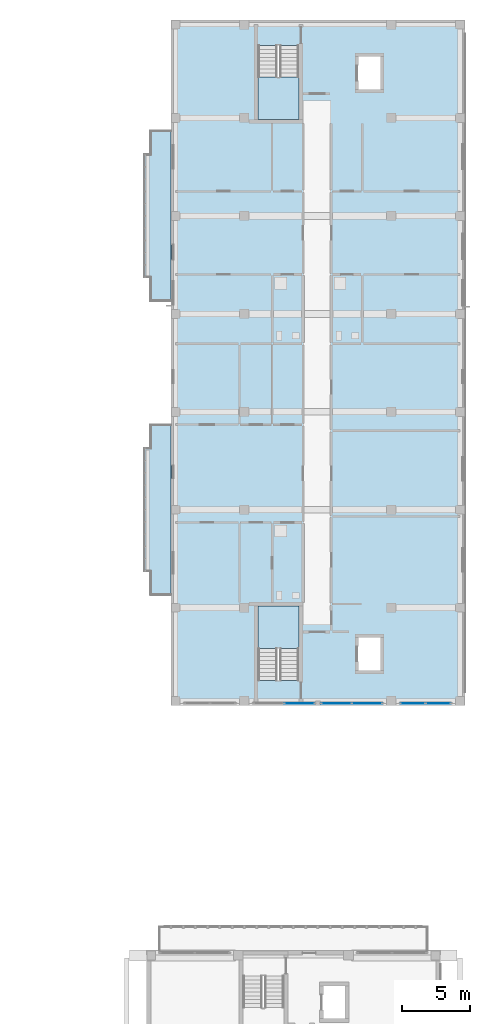
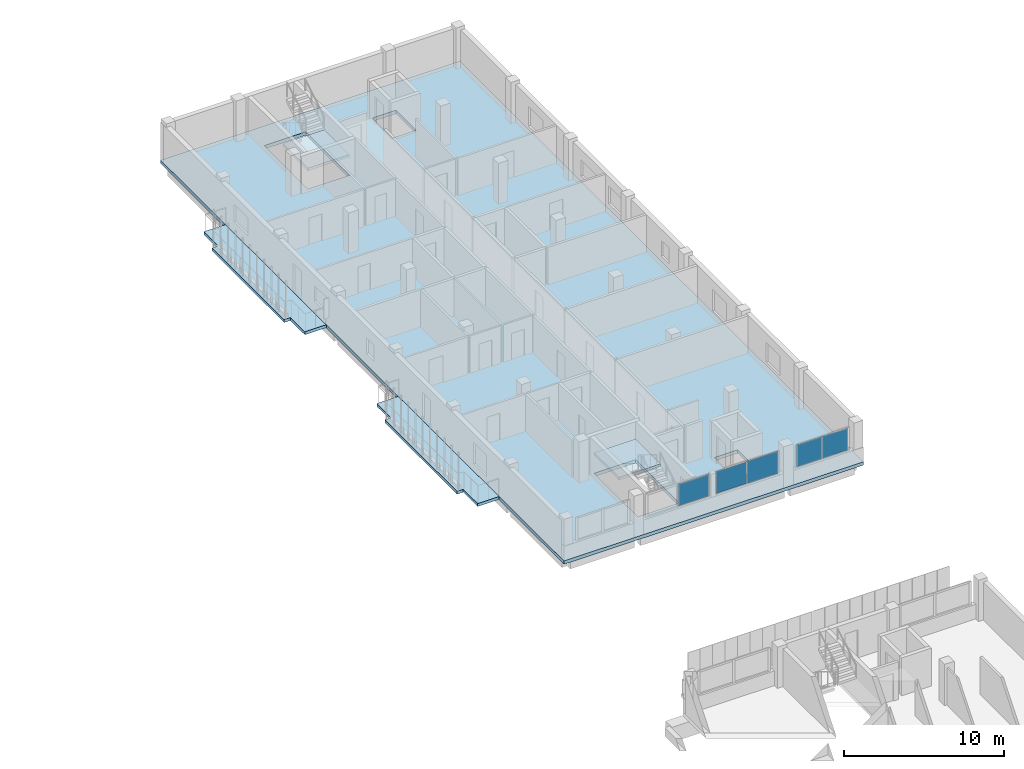
# One storey, part 23 of 51: 5 plates, 5 slabs, 5 elements without a shape of their own.
"""IFC4 building model written with IfcOpenShell, lengths in metres."""

from ifc_helpers import new_model, si_unit, derived_unit, direction, frame, origin, origin_2d, place, context, subcontext, project, spatial, polyline, rectangle, outline, extrude, material, layer, layer_set, type_object, element, aggregate, save


model = new_model("IFC4")

# Units and contexts
model_context = context("Model", 3, precision=1e-05, world=origin(), true_north=direction((0.0, 1.0)))
body_context = subcontext(model_context, "Body", "Model", "MODEL_VIEW")
ifc_project = project(units=[si_unit("LENGTHUNIT", "METRE"), si_unit("AREAUNIT", "SQUARE_METRE"), si_unit("VOLUMEUNIT", "CUBIC_METRE"), si_unit("PLANEANGLEUNIT", "RADIAN"), si_unit("MASSUNIT", "GRAM", prefix="KILO"), derived_unit("THERMALTRANSMITTANCEUNIT", [(si_unit("MASSUNIT", "GRAM", prefix="KILO"), 1), (si_unit("TIMEUNIT", "SECOND"), -3), (si_unit("THERMODYNAMICTEMPERATUREUNIT", "KELVIN"), -1)])], contexts=[model_context])

# Site, building, storey
site_placement = place(None, origin())
site = spatial("IfcSite", under=ifc_project, at=site_placement, CompositionType="ELEMENT")
building_placement = place(site_placement, origin())
building = spatial("IfcBuilding", under=site, at=building_placement, Name="Ochrekiln Boulevard Commons", CompositionType="ELEMENT")
storey_placement = place(building_placement, frame((0.0, 0.0, 18.375)))
storey = spatial("IfcBuildingStorey", under=building, at=storey_placement, Name="L05", CompositionType="ELEMENT", Elevation=18.375)

# Curtain wall, plate
ifc_material_1 = material(Name="Bronze-anodized extruded aluminium 6063-T6", Category="aluminium")
ifc_layer_1 = layer(ifc_material_1, 0.18408203125)
ifc_layer_set_1 = layer_set([ifc_layer_1], Name="Bronze-anodized extruded aluminium 6063-T6")
curtain_wall_type = type_object("IfcCurtainWallType", Name="CW-GABLE-B", PredefinedType="USERDEFINED", material=ifc_layer_set_1)
curtain_wall_1_placement = place(storey_placement, origin())
curtain_wall_1 = element("IfcCurtainWall", 1, at=curtain_wall_1_placement, inside=storey, type_object=curtain_wall_type, Name="Block B L05 Courtyard Glazed Gable Curtain Wall 2", ObjectType="GLAZED CURTAIN WALL", PredefinedType="USERDEFINED")
ifc_material_2 = material(Name="Spectrally selective low-E insulated glazing", Category="glass")
ifc_layer_2 = layer(ifc_material_2, 0.02392578125)
ifc_layer_set_2 = layer_set([ifc_layer_2], Name="Spectrally selective low-E insulated glazing")
plate_type_1 = type_object("IfcPlateType", Name="CWP-GLZ-1", PredefinedType="CURTAIN_PANEL", material=ifc_layer_set_2)
plate_1_placement = place(storey_placement, frame((160.638671875, 68.570068359375, 1.175048828125), z_axis=(0.0, 0.0, 1.0), x_axis=(1.0, 0.0, 0.0)))
plate_1 = element("IfcPlate", 2, at=plate_1_placement, type_object=plate_type_1, Name="CW-02 panel 2.1", PredefinedType="CURTAIN_PANEL", context=body_context, shape_type="SweptSolid", body=[
    extrude(rectangle(XDim=2.1923828125, YDim=0.02392578125, at=origin_2d()), origin(), (0.0, 0.0, 1.0), 1.64990234375),
])
aggregate(curtain_wall_1, [plate_1])

# Curtain wall, plates
curtain_wall_2_placement = place(storey_placement, origin())
curtain_wall_2 = element("IfcCurtainWall", 3, at=curtain_wall_2_placement, inside=storey, type_object=curtain_wall_type, Name="Block B L05 Courtyard Glazed Gable Curtain Wall 3", ObjectType="GLAZED CURTAIN WALL", PredefinedType="USERDEFINED")
ifc_layer_3 = layer(ifc_material_2, 0.030029296875)
ifc_layer_set_3 = layer_set([ifc_layer_3], Name="Spectrally selective low-E insulated glazing")
plate_type_2 = type_object("IfcPlateType", Name="CWP-GLZ-2", PredefinedType="CURTAIN_PANEL", material=ifc_layer_set_3)
plate_2_placement = place(storey_placement, frame((163.360107421875, 68.570068359375, 1.169921875), z_axis=(0.0, 0.0, 1.0), x_axis=(1.0, 0.0, 0.0)))
plate_2 = element("IfcPlate", 4, at=plate_2_placement, type_object=plate_type_2, Name="CW-02 panel 1.1", PredefinedType="CURTAIN_PANEL", context=body_context, shape_type="SweptSolid", body=[
    extrude(rectangle(XDim=2.199951171875, YDim=0.030029296875, at=origin_2d()), origin(), (0.0, 0.0, 1.0), 1.659912109375),
])
plate_3_placement = place(storey_placement, frame((165.6201171875, 68.570068359375, 1.169921875), z_axis=(0.0, 0.0, 1.0), x_axis=(1.0, 0.0, 0.0)))
plate_3 = element("IfcPlate", 5, at=plate_3_placement, type_object=plate_type_2, Name="CW-02 panel 2.1", PredefinedType="CURTAIN_PANEL", context=body_context, shape_type="SweptSolid", body=[
    extrude(rectangle(XDim=2.199951171875, YDim=0.030029296875, at=origin_2d()), origin(), (0.0, 0.0, 1.0), 1.659912109375),
])
aggregate(curtain_wall_2, [plate_2, plate_3])

curtain_wall_3_placement = place(storey_placement, origin())
curtain_wall_3 = element("IfcCurtainWall", 6, at=curtain_wall_3_placement, inside=storey, type_object=curtain_wall_type, Name="Block B L05 Courtyard Glazed Gable Curtain Wall 4", ObjectType="GLAZED CURTAIN WALL", PredefinedType="USERDEFINED")
ifc_layer_4 = layer(ifc_material_2, 0.035888671875)
ifc_layer_set_4 = layer_set([ifc_layer_4], Name="Spectrally selective low-E insulated glazing")
plate_type_3 = type_object("IfcPlateType", Name="CWP-GLZ-3", PredefinedType="CURTAIN_PANEL", material=ifc_layer_set_4)
plate_4_placement = place(storey_placement, frame((168.98876953125, 68.570068359375, 1.175048828125), z_axis=(0.0, 0.0, 1.0), x_axis=(1.0, 0.0, 0.0)))
plate_4 = element("IfcPlate", 7, at=plate_4_placement, type_object=plate_type_3, Name="CW-02 panel 1.1", PredefinedType="CURTAIN_PANEL", context=body_context, shape_type="SweptSolid", body=[
    extrude(rectangle(XDim=1.8076171875, YDim=0.035888671875, at=origin_2d()), origin(), (0.0, 0.0, 1.0), 1.64990234375),
])
plate_5_placement = place(storey_placement, frame((170.861328125, 68.570068359375, 1.175048828125), z_axis=(0.0, 0.0, 1.0), x_axis=(1.0, 0.0, 0.0)))
plate_5 = element("IfcPlate", 8, at=plate_5_placement, type_object=plate_type_3, Name="CW-02 panel 2.1", PredefinedType="CURTAIN_PANEL", context=body_context, shape_type="SweptSolid", body=[
    extrude(rectangle(XDim=1.8076171875, YDim=0.035888671875, at=origin_2d()), origin(), (0.0, 0.0, 1.0), 1.64990234375),
])
aggregate(curtain_wall_3, [plate_4, plate_5])

# Slabs
ifc_material_3 = material(Name="Concrete C35/45", Category="concrete")
ifc_layer_5 = layer(ifc_material_3, 0.219970703125)
ifc_layer_set_5 = layer_set([ifc_layer_5], Name="Concrete C35/45")
slab_type_1 = type_object("IfcSlabType", Name="SLB-BAL-220", PredefinedType="FLOOR", material=ifc_layer_set_5)
slab_1_placement = place(storey_placement, frame((0.0, 0.0, -0.219970703125)))
element("IfcSlab", 9, at=slab_1_placement, inside=storey, type_object=slab_type_1, Name="Block B L05 Planter-Box Balcony Slab 1", PredefinedType="FLOOR", context=body_context, shape_type="SweptSolid", body=[
    extrude(outline(polyline([(151.199951171875, 76.5), (151.199951171875, 89.10009765625), (149.64990234375, 89.10009765625), (149.64990234375, 87.300048828125), (149.199951171875, 87.300048828125), (149.199951171875, 78.300048828125), (149.64990234375, 78.300048828125), (149.64990234375, 76.5), (151.199951171875, 76.5)])), origin(), (0.0, 0.0, 1.0), 0.219970703125),
])
slab_2_placement = place(storey_placement, frame((0.0, 0.0, -0.219970703125)))
element("IfcSlab", 10, at=slab_2_placement, inside=storey, type_object=slab_type_1, Name="Block B L05 Planter-Box Balcony Slab 2", PredefinedType="FLOOR", context=body_context, shape_type="SweptSolid", body=[
    extrude(outline(polyline([(151.199951171875, 98.10009765625), (151.199951171875, 110.699951171875), (149.64990234375, 110.699951171875), (149.64990234375, 108.89990234375), (149.199951171875, 108.89990234375), (149.199951171875, 99.89990234375), (149.64990234375, 99.89990234375), (149.64990234375, 98.10009765625), (151.199951171875, 98.10009765625)])), origin(), (0.0, 0.0, 1.0), 0.219970703125),
])

# Stair, slab
stair_type = type_object("IfcStairType", Name="STR-DL-315", PredefinedType="TWO_STRAIGHT_RUN_STAIR", material=ifc_material_3)
stair_1_placement = place(storey_placement, origin())
stair_1 = element("IfcStair", 11, at=stair_1_placement, inside=storey, type_object=stair_type, Name="L05 Enclosed Exit Stair ST-B1", PredefinedType="TWO_STRAIGHT_RUN_STAIR")
ifc_layer_6 = layer(ifc_material_3, 0.199951171875)
ifc_layer_set_6 = layer_set([ifc_layer_6], Name="Concrete C35/45")
slab_type_2 = type_object("IfcSlabType", Name="SLB-LND-200", PredefinedType="LANDING", material=ifc_layer_set_6)
slab_3_placement = place(storey_placement, frame((0.0, 0.0, 1.375)))
slab_3 = element("IfcSlab", 12, at=slab_3_placement, type_object=slab_type_2, Name="ST-B1 landing 1", PredefinedType="LANDING", context=body_context, shape_type="SweptSolid", body=[
    extrude(outline(polyline([(160.60009765625, 72.590087890625), (160.60009765625, 75.719970703125), (157.60009765625, 75.719970703125), (157.60009765625, 72.590087890625), (160.60009765625, 72.590087890625)])), origin(), (0.0, 0.0, 1.0), 0.199951171875),
])
aggregate(stair_1, [slab_3])

stair_2_placement = place(storey_placement, origin())
stair_2 = element("IfcStair", 13, at=stair_2_placement, inside=storey, type_object=stair_type, Name="L05 Enclosed Exit Stair ST-B2", PredefinedType="TWO_STRAIGHT_RUN_STAIR")
slab_4_placement = place(storey_placement, frame((0.0, 0.0, 1.375)))
slab_4 = element("IfcSlab", 14, at=slab_4_placement, type_object=slab_type_2, Name="ST-B2 landing 1", PredefinedType="LANDING", context=body_context, shape_type="SweptSolid", body=[
    extrude(outline(polyline([(157.60009765625, 114.610107421875), (157.60009765625, 111.47998046875), (160.60009765625, 111.47998046875), (160.60009765625, 114.610107421875), (157.60009765625, 114.610107421875)])), origin(), (0.0, 0.0, 1.0), 0.199951171875),
])
aggregate(stair_2, [slab_4])

# Slab
ifc_layer_7 = layer(ifc_material_3, 0.260009765625)
ifc_layer_set_7 = layer_set([ifc_layer_7], Name="Concrete C35/45")
slab_type_3 = type_object("IfcSlabType", Name="SLB-RES-260", PredefinedType="FLOOR", material=ifc_layer_set_7)
slab_5_placement = place(storey_placement, frame((0.0, 0.0, -0.260009765625)))
element("IfcSlab", 15, at=slab_5_placement, inside=storey, type_object=slab_type_3, Name="Block B L05 Reinforced Concrete Floor Slab", PredefinedType="FLOOR", context=body_context, shape_type="SweptSolid", body=[
    extrude(outline(polyline([(151.199951171875, 68.39990234375), (172.800048828125, 68.39990234375), (172.800048828125, 118.800048828125), (151.199951171875, 118.800048828125), (151.199951171875, 68.39990234375)]), holes=[polyline([(160.60009765625, 70.2705078125), (160.60009765625, 75.719970703125), (157.60009765625, 75.719970703125), (157.60009765625, 70.2705078125), (160.60009765625, 70.2705078125)]), polyline([(157.60009765625, 116.929443359375), (157.60009765625, 111.47998046875), (160.60009765625, 111.47998046875), (160.60009765625, 116.929443359375), (157.60009765625, 116.929443359375)]), polyline([(164.949951171875, 70.949951171875), (166.64990234375, 70.949951171875), (166.64990234375, 73.449951171875), (164.949951171875, 73.449951171875), (164.949951171875, 70.949951171875)]), polyline([(164.949951171875, 113.64990234375), (166.64990234375, 113.64990234375), (166.64990234375, 116.14990234375), (164.949951171875, 116.14990234375), (164.949951171875, 113.64990234375)])]), origin(), (0.0, 0.0, 1.0), 0.260009765625),
])

save(model, "model.ifc")
